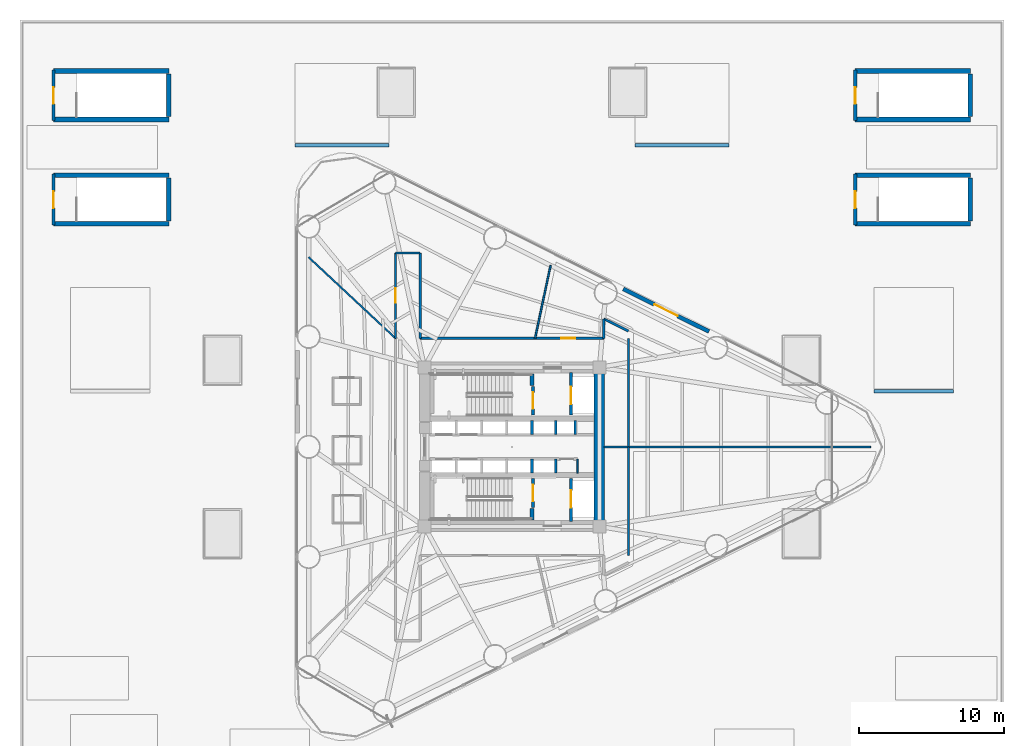
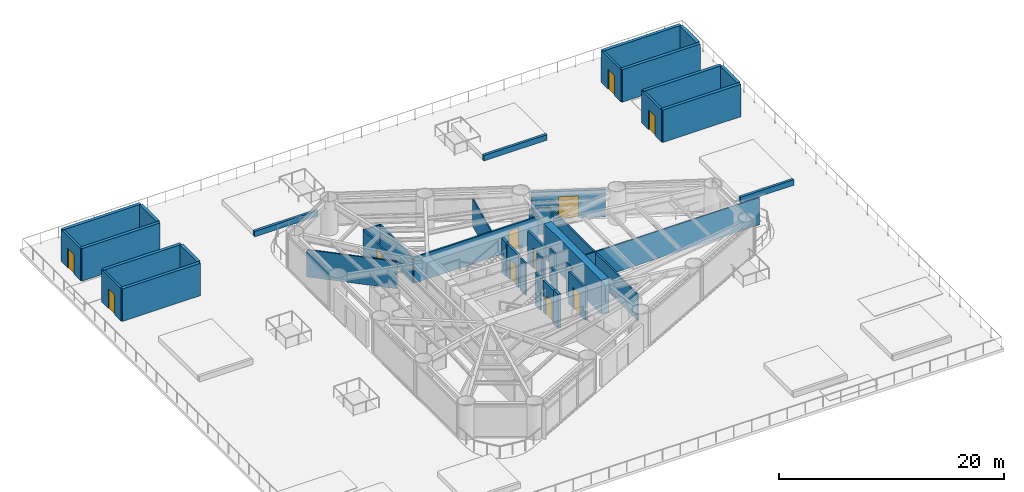
# One storey, part 7 of 13: 44 walls, 11 doors, 11 openings.
"""IFC4 building model written with IfcOpenShell, lengths in metres."""

from ifc_helpers import new_model, si_unit, direction, frame, frame_2d, origin, place, context, subcontext, project, spatial, rectangle, extrude, material, layer, layer_set, type_object, element, fill, save


model = new_model("IFC4")

# Units and contexts
model_context = context("Model", 3, precision=1e-05, world=origin(), true_north=direction((0.0, 1.0)))
body_context = subcontext(model_context, "Body", "Model", "MODEL_VIEW")
ifc_project = project(units=[si_unit("LENGTHUNIT", "METRE"), si_unit("AREAUNIT", "SQUARE_METRE"), si_unit("VOLUMEUNIT", "CUBIC_METRE"), si_unit("PLANEANGLEUNIT", "RADIAN"), si_unit("MASSUNIT", "GRAM", prefix="KILO")], contexts=[model_context])

# Site, building, storey
site_placement = place(None, origin())
site = spatial("IfcSite", under=ifc_project, at=site_placement, CompositionType="ELEMENT")
building_placement = place(site_placement, origin())
building = spatial("IfcBuilding", under=site, at=building_placement, Name="Yunling Apex Tower", CompositionType="ELEMENT")
storey_placement = place(building_placement, frame((0.0, 0.0, 20.10009765625)))
storey = spatial("IfcBuildingStorey", under=building, at=storey_placement, Name="L06", CompositionType="ELEMENT", Elevation=20.10009765625)

# Walls
ifc_material_1 = material(Name="Concrete C60", Category="concrete")
ifc_layer_1 = layer(ifc_material_1, 0.75)
ifc_layer_set_1 = layer_set([ifc_layer_1], Name="Concrete C60")
wall_type_1 = type_object("IfcWallType", Name="WL-COR-1", PredefinedType="SHEAR", material=ifc_layer_set_1)
wall_1_placement = place(storey_placement, frame((6.02490234375, -5.10009765625, 0.0), z_axis=(0.0, 0.0, 1.0), x_axis=(0.0, 1.0, 0.0)))
element("IfcWall", 1, at=wall_1_placement, inside=storey, type_object=wall_type_1, Name="L06 East Core Shear Wall", PredefinedType="SHEAR", context=body_context, shape_type="SweptSolid", body=[
    extrude(rectangle(XDim=10.2001953125, YDim=0.75, at=frame_2d((5.10009765625, 0.0))), origin(), (0.0, 0.0, 1.0), 3.699951171875),
])
ifc_material_2 = material(Name="Concrete C40", Category="concrete")
ifc_layer_2 = layer(ifc_material_2, 0.320068359375)
ifc_layer_set_2 = layer_set([ifc_layer_2], Name="Concrete C40")
wall_type_2 = type_object("IfcWallType", Name="WL-COR-7", PredefinedType="SHEAR", material=ifc_layer_set_2)
for number, where, z_axis, x_axis, name in (
    (2, (-31.699951171875, 18.780029296875, 0.0), (0.0, 0.0, 1.0), (1.0, 0.0, 0.0), "L06 STP1 North Bearing Wall"),
    (3, (-31.699951171875, 15.419921875, 0.0), (0.0, 0.0, 1.0), (1.0, 0.0, 0.0), "L06 STP1 South Bearing Wall"),
):
    element("IfcWall", number, at=place(storey_placement, frame(where, z_axis=z_axis, x_axis=x_axis)), inside=storey, type_object=wall_type_2, Name=name, PredefinedType="SHEAR", context=body_context, shape_type="SweptSolid", body=[
        extrude(rectangle(XDim=8.0, YDim=0.320068359375, at=frame_2d((4.0, 0.0))), origin(), (0.0, 0.0, 1.0), 3.52001953125),
    ])
wall_2_placement = place(storey_placement, frame((-23.719970703125, 15.6201171875, 0.0), z_axis=(0.0, 0.0, 1.0), x_axis=(0.0, 1.0, 0.0)))
element("IfcWall", 4, at=wall_2_placement, inside=storey, type_object=wall_type_2, Name="L06 STP1 Half-Landing Bearing Wall", PredefinedType="SHEAR", context=body_context, shape_type="SweptSolid", body=[
    extrude(rectangle(XDim=2.9599609375, YDim=0.320068359375, at=frame_2d((1.47998046875, 0.0))), origin(), (0.0, 0.0, 1.0), 3.52001953125),
])
for number, where, z_axis, x_axis, name in (
    (5, (23.699951171875, 18.780029296875, 0.0), (0.0, 0.0, 1.0), (1.0, 0.0, 0.0), "L06 STP2 North Bearing Wall"),
    (6, (23.699951171875, 15.419921875, 0.0), (0.0, 0.0, 1.0), (1.0, 0.0, 0.0), "L06 STP2 South Bearing Wall"),
):
    element("IfcWall", number, at=place(storey_placement, frame(where, z_axis=z_axis, x_axis=x_axis)), inside=storey, type_object=wall_type_2, Name=name, PredefinedType="SHEAR", context=body_context, shape_type="SweptSolid", body=[
        extrude(rectangle(XDim=8.0, YDim=0.320068359375, at=frame_2d((4.0, 0.0))), origin(), (0.0, 0.0, 1.0), 3.52001953125),
    ])
wall_3_placement = place(storey_placement, frame((31.679931640625, 15.6201171875, 0.0), z_axis=(0.0, 0.0, 1.0), x_axis=(0.0, 1.0, 0.0)))
element("IfcWall", 7, at=wall_3_placement, inside=storey, type_object=wall_type_2, Name="L06 STP2 Half-Landing Bearing Wall", PredefinedType="SHEAR", context=body_context, shape_type="SweptSolid", body=[
    extrude(rectangle(XDim=2.9599609375, YDim=0.320068359375, at=frame_2d((1.47998046875, 0.0))), origin(), (0.0, 0.0, 1.0), 3.52001953125),
])
for number, where, z_axis, x_axis, name in (
    (8, (-31.699951171875, 25.97998046875, 0.0), (0.0, 0.0, 1.0), (1.0, 0.0, 0.0), "L06 STG1 North Bearing Wall"),
    (9, (-31.699951171875, 22.6201171875, 0.0), (0.0, 0.0, 1.0), (1.0, 0.0, 0.0), "L06 STG1 South Bearing Wall"),
):
    element("IfcWall", number, at=place(storey_placement, frame(where, z_axis=z_axis, x_axis=x_axis)), inside=storey, type_object=wall_type_2, Name=name, PredefinedType="SHEAR", context=body_context, shape_type="SweptSolid", body=[
        extrude(rectangle(XDim=8.0, YDim=0.320068359375, at=frame_2d((4.0, 0.0))), origin(), (0.0, 0.0, 1.0), 3.52001953125),
    ])
wall_4_placement = place(storey_placement, frame((-23.719970703125, 22.820068359375, 0.0), z_axis=(0.0, 0.0, 1.0), x_axis=(0.0, 1.0, 0.0)))
element("IfcWall", 10, at=wall_4_placement, inside=storey, type_object=wall_type_2, Name="L06 STG1 Half-Landing Bearing Wall", PredefinedType="SHEAR", context=body_context, shape_type="SweptSolid", body=[
    extrude(rectangle(XDim=2.9599609375, YDim=0.320068359375, at=frame_2d((1.47998046875, 0.0))), origin(), (0.0, 0.0, 1.0), 3.52001953125),
])
for number, where, z_axis, x_axis, name in (
    (11, (23.699951171875, 25.97998046875, 0.0), (0.0, 0.0, 1.0), (1.0, 0.0, 0.0), "L06 STG2 North Bearing Wall"),
    (12, (23.699951171875, 22.6201171875, 0.0), (0.0, 0.0, 1.0), (1.0, 0.0, 0.0), "L06 STG2 South Bearing Wall"),
):
    element("IfcWall", number, at=place(storey_placement, frame(where, z_axis=z_axis, x_axis=x_axis)), inside=storey, type_object=wall_type_2, Name=name, PredefinedType="SHEAR", context=body_context, shape_type="SweptSolid", body=[
        extrude(rectangle(XDim=8.0, YDim=0.320068359375, at=frame_2d((4.0, 0.0))), origin(), (0.0, 0.0, 1.0), 3.52001953125),
    ])
wall_5_placement = place(storey_placement, frame((31.679931640625, 22.820068359375, 0.0), z_axis=(0.0, 0.0, 1.0), x_axis=(0.0, 1.0, 0.0)))
element("IfcWall", 13, at=wall_5_placement, inside=storey, type_object=wall_type_2, Name="L06 STG2 Half-Landing Bearing Wall", PredefinedType="SHEAR", context=body_context, shape_type="SweptSolid", body=[
    extrude(rectangle(XDim=2.9599609375, YDim=0.320068359375, at=frame_2d((1.47998046875, 0.0))), origin(), (0.0, 0.0, 1.0), 3.52001953125),
])
ifc_layer_3 = layer(ifc_material_2, 0.280029296875)
ifc_layer_set_3 = layer_set([ifc_layer_3], Name="Concrete C40")
wall_type_3 = type_object("IfcWallType", Name="WL-COR-8", PredefinedType="SHEAR", material=ifc_layer_set_3)
for number, where, z_axis, x_axis, name in (
    (14, (1.3798828125, 4.25, 0.0), (0.0, 0.0, 1.0), (0.0, 1.0, 0.0), "L06 ST-1 East Landing Bearing Pier"),
    (15, (1.3798828125, -5.050048828125, 0.0), (0.0, 0.0, 1.0), (0.0, 1.0, 0.0), "L06 ST-2 East Landing Bearing Pier"),
):
    element("IfcWall", number, at=place(storey_placement, frame(where, z_axis=z_axis, x_axis=x_axis)), inside=storey, type_object=wall_type_3, Name=name, PredefinedType="SHEAR", context=body_context, shape_type="SweptSolid", body=[
        extrude(rectangle(XDim=0.800048828125, YDim=0.280029296875, at=frame_2d((0.39990234375, 0.0))), origin(), (0.0, 0.0, 1.0), 3.699951171875),
    ])

# Wall, opening, door
ifc_material_3 = material(Name="Precast concrete C40", Category="concrete")
ifc_layer_4 = layer(ifc_material_3, 0.280029296875)
ifc_layer_set_4 = layer_set([ifc_layer_4], Name="Precast concrete C40")
wall_type_4 = type_object("IfcWallType", Name="WL-EXT-2", PredefinedType="SOLIDWALL", material=ifc_layer_set_4)
wall_6_placement = place(storey_placement, frame((7.684326171875, 10.918701171875, 0.0), z_axis=(0.0, 0.0, 1.0), x_axis=(0.895244546631, -0.445575135895, 0.0)))
wall_6 = element("IfcWall", 16, at=wall_6_placement, inside=storey, type_object=wall_type_4, Name="WL-L06-GDN-F2", PredefinedType="SOLIDWALL", context=body_context, shape_type="SweptSolid", body=[
    extrude(rectangle(XDim=6.618896484375, YDim=0.280029296875, at=frame_2d((3.3095703125, 0.0))), origin(), (0.0, 0.0, 1.0), 2.914794921875),
])
opening_1_placement = place(wall_6_placement, frame((2.409423828125, 0.0, 0.0)))
opening_1 = element("IfcOpeningElement", 17, at=opening_1_placement, cuts=wall_6, Name="Opening DR-GDN-1", PredefinedType="OPENING", context=body_context, shape_type="SweptSolid", body=[
    extrude(rectangle(XDim=1.800048828125, YDim=2.35009765625, at=frame_2d((0.89990234375, 1.175048828125))), frame((0.0, 0.14990234375, 0.0), z_axis=(0.0, -1.0, 0.0), x_axis=(1.0, 0.0, 0.0)), (0.0, 0.0, 1.0), 0.300048828125),
])
ifc_material_4 = material(Name="Bronze anodised aluminium", Category="aluminium")
door_type_1 = type_object("IfcDoorType", Name="DR-GDN-1", OperationType="NOTDEFINED", PredefinedType="DOOR", material=ifc_material_4)
door_1_placement = place(opening_1_placement, origin())
door_1 = element("IfcDoor", 18, at=door_1_placement, inside=storey, type_object=door_type_1, Name="DR-GDN-02 Raised Garden Terrace Access Door", OperationType="DOUBLE_DOOR_SINGLE_SWING", OverallHeight=2.35009765625, OverallWidth=1.800048828125, PredefinedType="DOOR", context=body_context, shape_type="SweptSolid", body=[
    extrude(rectangle(XDim=1.800048828125, YDim=2.35009765625, at=frame_2d((0.89990234375, 1.175048828125))), frame((0.0, 0.02490234375, 0.0), z_axis=(0.0, -1.0, 0.0), x_axis=(1.0, 0.0, 0.0)), (0.0, 0.0, 1.0), 0.050048828125),
])
fill(opening_1, door_1)

# Walls
ifc_layer_5 = layer(ifc_material_3, 0.260009765625)
ifc_layer_set_5 = layer_set([ifc_layer_5], Name="Precast concrete C40")
wall_type_5 = type_object("IfcWallType", Name="WL-PAR-1", PredefinedType="PARAPET", material=ifc_layer_set_5)
wall_7_placement = place(storey_placement, frame((25.0, 3.85009765625, 0.0), z_axis=(0.0, 0.0, 1.0), x_axis=(1.0, 0.0, 0.0)))
element("IfcWall", 19, at=wall_7_placement, inside=storey, type_object=wall_type_5, Name="WL-PAR-PLN-04", PredefinedType="PARAPET", context=body_context, shape_type="SweptSolid", body=[
    extrude(rectangle(XDim=5.5, YDim=0.260009765625, at=frame_2d((2.75, 0.0))), origin(), (0.0, 0.0, 1.0), 0.599853515625),
])
for number, where, z_axis, x_axis, name in (
    (20, (-15.0, 20.85009765625, 0.0), (0.0, 0.0, 1.0), (1.0, 0.0, 0.0), "WL-PAR-PLN-07"),
    (21, (8.5, 20.85009765625, 0.0), (0.0, 0.0, 1.0), (1.0, 0.0, 0.0), "WL-PAR-PLN-08"),
):
    element("IfcWall", number, at=place(storey_placement, frame(where, z_axis=z_axis, x_axis=x_axis)), inside=storey, type_object=wall_type_5, Name=name, PredefinedType="PARAPET", context=body_context, shape_type="SweptSolid", body=[
        extrude(rectangle(XDim=6.5, YDim=0.260009765625, at=frame_2d((3.25, 0.0))), origin(), (0.0, 0.0, 1.0), 0.599853515625),
    ])

# Wall, opening, door
ifc_material_5 = material(Name="Gypsum board acoustic partition")
ifc_layer_6 = layer(ifc_material_5, 0.159912109375)
ifc_layer_set_6 = layer_set([ifc_layer_6], Name="Gypsum board acoustic partition")
wall_type_6 = type_object("IfcWallType", Name="WL-PRT-1", PredefinedType="PARTITIONING", material=ifc_layer_set_6)
wall_8_placement = place(storey_placement, frame((-8.050048828125, 7.5, 0.0), z_axis=(0.0, 0.0, 1.0), x_axis=(0.0, 1.0, 0.0)))
wall_8 = element("IfcWall", 22, at=wall_8_placement, inside=storey, type_object=wall_type_6, Name="WL-CORR-L06-06", PredefinedType="PARTITIONING", context=body_context, shape_type="SweptSolid", body=[
    extrude(rectangle(XDim=5.89990234375, YDim=0.159912109375, at=frame_2d((2.949951171875, 0.0))), origin(), (0.0, 0.0, 1.0), 2.7998046875),
])
opening_2_placement = place(wall_8_placement, frame((2.449951171875, 0.0, 0.0)))
opening_2 = element("IfcOpeningElement", 23, at=opening_2_placement, cuts=wall_8, Name="Opening DR-OFF-1", PredefinedType="OPENING", context=body_context, shape_type="SweptSolid", body=[
    extrude(rectangle(XDim=1.0, YDim=2.25, at=frame_2d((0.5, 1.125))), frame((0.0, 0.08984375, 0.0), z_axis=(0.0, -1.0, 0.0), x_axis=(1.0, 0.0, 0.0)), (0.0, 0.0, 1.0), 0.179931640625),
])
door_type_2 = type_object("IfcDoorType", Name="DR-OFF-1", OperationType="NOTDEFINED", PredefinedType="DOOR", material=ifc_material_4)
door_2_placement = place(opening_2_placement, origin())
door_2 = element("IfcDoor", 24, at=door_2_placement, inside=storey, type_object=door_type_2, Name="L06 Open Plan Office Door", OperationType="SINGLE_SWING_LEFT", OverallHeight=2.25, OverallWidth=1.0, PredefinedType="DOOR", context=body_context, shape_type="SweptSolid", body=[
    extrude(rectangle(XDim=1.0, YDim=2.25, at=frame_2d((0.5, 1.125))), frame((0.0, 0.02490234375, 0.0), z_axis=(0.0, -1.0, 0.0), x_axis=(1.0, 0.0, 0.0)), (0.0, 0.0, 1.0), 0.050048828125),
])
fill(opening_2, door_2)

# Walls
wall_9_placement = place(storey_placement, frame((-8.050048828125, 13.39990234375, 0.0), z_axis=(0.0, 0.0, 1.0), x_axis=(1.0, 0.0, 0.0)))
element("IfcWall", 25, at=wall_9_placement, inside=storey, type_object=wall_type_6, Name="WL-CORR-L06-07", PredefinedType="PARTITIONING", context=body_context, shape_type="SweptSolid", body=[
    extrude(rectangle(XDim=1.699951171875, YDim=0.159912109375, at=frame_2d((0.85009765625, 0.0))), origin(), (0.0, 0.0, 1.0), 2.7998046875),
])
wall_10_placement = place(storey_placement, frame((-6.35009765625, 13.39990234375, 0.0), z_axis=(0.0, 0.0, 1.0), x_axis=(0.0, -1.0, 0.0)))
element("IfcWall", 26, at=wall_10_placement, inside=storey, type_object=wall_type_6, Name="WL-CORR-L06-08", PredefinedType="PARTITIONING", context=body_context, shape_type="SweptSolid", body=[
    extrude(rectangle(XDim=5.89990234375, YDim=0.159912109375, at=frame_2d((2.949951171875, 0.0))), origin(), (0.0, 0.0, 1.0), 2.7998046875),
])

# Wall, opening, door
wall_11_placement = place(storey_placement, frame((-6.35009765625, 7.5, 0.0), z_axis=(0.0, 0.0, 1.0), x_axis=(1.0, 0.0, 0.0)))
wall_11 = element("IfcWall", 27, at=wall_11_placement, inside=storey, type_object=wall_type_6, Name="WL-CORR-L06-09", PredefinedType="PARTITIONING", context=body_context, shape_type="SweptSolid", body=[
    extrude(rectangle(XDim=12.7001953125, YDim=0.159912109375, at=frame_2d((6.35009765625, 0.0))), origin(), (0.0, 0.0, 1.0), 2.7998046875),
])
opening_3_placement = place(wall_11_placement, frame((9.7373046875, 0.0, 0.0)))
opening_3 = element("IfcOpeningElement", 28, at=opening_3_placement, cuts=wall_11, Name="Opening DR-OFF-1", PredefinedType="OPENING", context=body_context, shape_type="SweptSolid", body=[
    extrude(rectangle(XDim=1.0, YDim=2.25, at=frame_2d((0.5, 1.125))), frame((0.0, 0.08984375, 0.0), z_axis=(0.0, -1.0, 0.0), x_axis=(1.0, 0.0, 0.0)), (0.0, 0.0, 1.0), 0.179931640625),
])
door_3_placement = place(opening_3_placement, origin())
door_3 = element("IfcDoor", 29, at=door_3_placement, inside=storey, type_object=door_type_2, Name="L06 Open Plan Office Door", OperationType="SINGLE_SWING_RIGHT", OverallHeight=2.25, OverallWidth=1.0, PredefinedType="DOOR", context=body_context, shape_type="SweptSolid", body=[
    extrude(rectangle(XDim=1.0, YDim=2.25, at=frame_2d((0.5, 1.125))), frame((0.0, 0.02490234375, 0.0), z_axis=(0.0, -1.0, 0.0), x_axis=(1.0, 0.0, 0.0)), (0.0, 0.0, 1.0), 0.050048828125),
])
fill(opening_3, door_3)

# Walls
wall_12_placement = place(storey_placement, frame((6.35009765625, 7.5, 0.0), z_axis=(0.0, 0.0, 1.0), x_axis=(0.0, 1.0, 0.0)))
element("IfcWall", 30, at=wall_12_placement, inside=storey, type_object=wall_type_6, Name="WL-CORR-L06-10", PredefinedType="PARTITIONING", context=body_context, shape_type="SweptSolid", body=[
    extrude(rectangle(XDim=1.34619140625, YDim=0.159912109375, at=frame_2d((0.673095703125, 0.0))), origin(), (0.0, 0.0, 1.0), 2.7998046875),
])
wall_13_placement = place(storey_placement, frame((6.35009765625, 8.84619140625, 0.0), z_axis=(0.0, 0.0, 1.0), x_axis=(0.895274181873, -0.445515588136, 0.0)))
element("IfcWall", 31, at=wall_13_placement, inside=storey, type_object=wall_type_6, Name="WL-CORR-L06-11", PredefinedType="PARTITIONING", context=body_context, shape_type="SweptSolid", body=[
    extrude(rectangle(XDim=1.89892578125, YDim=0.159912109375, at=frame_2d((0.949462890625, 0.0))), origin(), (0.0, 0.0, 1.0), 2.7998046875),
])
for number, where, z_axis, x_axis, name in (
    (32, (8.050048828125, 7.5, 0.0), (0.0, 0.0, 1.0), (0.0, -1.0, 0.0), "WL-CORR-L06-13"),
    (33, (8.050048828125, -0.02001953125, 0.0), (0.0, 0.0, 1.0), (0.0, -1.0, 0.0), "WL-CORR-L06-14"),
):
    element("IfcWall", number, at=place(storey_placement, frame(where, z_axis=z_axis, x_axis=x_axis)), inside=storey, type_object=wall_type_6, Name=name, PredefinedType="PARTITIONING", context=body_context, shape_type="SweptSolid", body=[
        extrude(rectangle(XDim=7.47998046875, YDim=0.159912109375, at=frame_2d((3.739990234375, 0.0))), origin(), (0.0, 0.0, 1.0), 2.7998046875),
    ])
ifc_layer_7 = layer(ifc_material_5, 0.1201171875)
ifc_layer_set_7 = layer_set([ifc_layer_7], Name="Gypsum board acoustic partition")
wall_type_7 = type_object("IfcWallType", Name="WL-PRT-3", PredefinedType="PARTITIONING", material=ifc_layer_set_7)
wall_14_placement = place(storey_placement, frame((6.360107421875, 0.0, 0.0), z_axis=(0.0, 0.0, 1.0), x_axis=(1.0, 0.0, 0.0)))
element("IfcWall", 34, at=wall_14_placement, inside=storey, type_object=wall_type_7, Name="WL-RAD-L06-01", PredefinedType="PARTITIONING", context=body_context, shape_type="SweptSolid", body=[
    extrude(rectangle(XDim=18.420654296875, YDim=0.1201171875, at=frame_2d((9.21044921875, 0.0))), origin(), (0.0, 0.0, 1.0), 2.9599609375),
])
wall_15_placement = place(storey_placement, frame((1.585693359375, 7.4599609375, 0.0), z_axis=(0.0, 0.0, 1.0), x_axis=(0.207905936394, 0.978148823857, 0.0)))
element("IfcWall", 35, at=wall_15_placement, inside=storey, type_object=wall_type_7, Name="WL-RAD-L06-02", PredefinedType="PARTITIONING", context=body_context, shape_type="SweptSolid", body=[
    extrude(rectangle(XDim=5.198486328125, YDim=0.1201171875, at=frame_2d((2.59912109375, 0.0))), origin(), (0.0, 0.0, 1.0), 2.9599609375),
])
wall_16_placement = place(storey_placement, frame((-8.010009765625, 7.469482421875, 0.0), z_axis=(0.0, 0.0, 1.0), x_axis=(-0.731351982223, 0.682000203885, 0.0)))
element("IfcWall", 36, at=wall_16_placement, inside=storey, type_object=wall_type_7, Name="WL-RAD-L06-03", PredefinedType="PARTITIONING", context=body_context, shape_type="SweptSolid", body=[
    extrude(rectangle(XDim=8.261474609375, YDim=0.1201171875, at=frame_2d((4.130859375, 0.0))), origin(), (0.0, 0.0, 1.0), 2.9599609375),
])
ifc_layer_8 = layer(ifc_material_5, 0.10009765625)
ifc_layer_set_8 = layer_set([ifc_layer_8], Name="Gypsum board acoustic partition")
wall_type_8 = type_object("IfcWallType", Name="WL-PRT-4", PredefinedType="PARTITIONING", material=ifc_layer_set_8)
wall_17_placement = place(storey_placement, frame((4.5400390625, -1.820068359375, 0.0), z_axis=(0.0, 0.0, 1.0), x_axis=(0.0, 1.0, 0.0)))
element("IfcWall", 37, at=wall_17_placement, inside=storey, type_object=wall_type_8, Name="WL-KASE-E-L06", PredefinedType="PARTITIONING", context=body_context, shape_type="SweptSolid", body=[
    extrude(rectangle(XDim=0.97998046875, YDim=0.10009765625, at=frame_2d((0.489990234375, 0.0))), origin(), (0.0, 0.0, 1.0), 3.494873046875),
])

# Wall, opening, door
ifc_material_6 = material(Name="Autoclaved aerated concrete masonry", Category="masonry")
ifc_layer_9 = layer(ifc_material_6, 0.219970703125)
ifc_layer_set_9 = layer_set([ifc_layer_9], Name="Autoclaved aerated concrete masonry")
wall_type_9 = type_object("IfcWallType", Name="WL-SHF-1", PredefinedType="PLUMBINGWALL", material=ifc_layer_set_9)
wall_18_placement = place(storey_placement, frame((1.449951171875, 2.199951171875, 0.0), z_axis=(0.0, 0.0, 1.0), x_axis=(0.0, 1.0, 0.0)))
wall_18 = element("IfcWall", 38, at=wall_18_placement, inside=storey, type_object=wall_type_9, Name="WL-ST1-E-L06", PredefinedType="PLUMBINGWALL", context=body_context, shape_type="SweptSolid", body=[
    extrude(rectangle(XDim=1.97998046875, YDim=0.219970703125, at=frame_2d((0.989990234375, 0.0))), origin(), (0.0, 0.0, 1.0), 3.494873046875),
])
opening_4_placement = place(wall_18_placement, frame((0.419921875, 0.0, 0.0)))
opening_4 = element("IfcOpeningElement", 39, at=opening_4_placement, cuts=wall_18, Name="Opening DR-ST-1", PredefinedType="OPENING", context=body_context, shape_type="SweptSolid", body=[
    extrude(rectangle(XDim=1.14990234375, YDim=2.14990234375, at=frame_2d((0.574951171875, 1.074951171875))), frame((0.0, 0.1201171875, 0.0), z_axis=(0.0, -1.0, 0.0), x_axis=(1.0, 0.0, 0.0)), (0.0, 0.0, 1.0), 0.239990234375),
])
ifc_material_7 = material(Name="Steel Q355B", Category="steel")
door_type_3 = type_object("IfcDoorType", Name="DR-ST-1", OperationType="NOTDEFINED", PredefinedType="DOOR", material=ifc_material_7)
door_4_placement = place(opening_4_placement, origin())
door_4 = element("IfcDoor", 40, at=door_4_placement, inside=storey, type_object=door_type_3, Name="L06 Stair ST-1 Fire Door", OperationType="SINGLE_SWING_RIGHT", OverallHeight=2.14990234375, OverallWidth=1.14990234375, PredefinedType="DOOR", context=body_context, shape_type="SweptSolid", body=[
    extrude(rectangle(XDim=1.14990234375, YDim=2.14990234375, at=frame_2d((0.574951171875, 1.074951171875))), frame((0.0, 0.02490234375, 0.0), z_axis=(0.0, -1.0, 0.0), x_axis=(1.0, 0.0, 0.0)), (0.0, 0.0, 1.0), 0.050048828125),
])
fill(opening_4, door_4)

wall_19_placement = place(storey_placement, frame((4.080078125, 2.199951171875, 0.0), z_axis=(0.0, 0.0, 1.0), x_axis=(0.0, 1.0, 0.0)))
wall_19 = element("IfcWall", 41, at=wall_19_placement, inside=storey, type_object=wall_type_9, Name="WL-FFL1-W-L06", PredefinedType="PLUMBINGWALL", context=body_context, shape_type="SweptSolid", body=[
    extrude(rectangle(XDim=2.949951171875, YDim=0.219970703125, at=frame_2d((1.47509765625, 0.0))), origin(), (0.0, 0.0, 1.0), 3.494873046875),
])
opening_5_placement = place(wall_19_placement, frame((0.75, 0.0, 0.0)))
opening_5 = element("IfcOpeningElement", 42, at=opening_5_placement, cuts=wall_19, Name="Opening LD-FFL-1", PredefinedType="OPENING", context=body_context, shape_type="SweptSolid", body=[
    extrude(rectangle(XDim=1.199951171875, YDim=2.25, at=frame_2d((0.60009765625, 1.125))), frame((0.0, 0.1201171875, 0.0), z_axis=(0.0, -1.0, 0.0), x_axis=(1.0, 0.0, 0.0)), (0.0, 0.0, 1.0), 0.239990234375),
])
door_type_4 = type_object("IfcDoorType", Name="LD-FFL-1", OperationType="DOUBLE_DOOR_SLIDING", PredefinedType="DOOR", material=ifc_material_7)
door_5_placement = place(opening_5_placement, origin())
door_5 = element("IfcDoor", 43, at=door_5_placement, inside=storey, type_object=door_type_4, Name="L06 Lift FFL-1 Landing Door", OperationType="DOUBLE_DOOR_SLIDING", OverallHeight=2.25, OverallWidth=1.199951171875, PredefinedType="DOOR", context=body_context, shape_type="SweptSolid", body=[
    extrude(rectangle(XDim=1.199951171875, YDim=2.25, at=frame_2d((0.60009765625, 1.125))), frame((0.0, 0.02490234375, 0.0), z_axis=(0.0, -1.0, 0.0), x_axis=(1.0, 0.0, 0.0)), (0.0, 0.0, 1.0), 0.050048828125),
])
fill(opening_5, door_5)

wall_20_placement = place(storey_placement, frame((1.449951171875, -4.179931640625, 0.0), z_axis=(0.0, 0.0, 1.0), x_axis=(0.0, 1.0, 0.0)))
wall_20 = element("IfcWall", 44, at=wall_20_placement, inside=storey, type_object=wall_type_9, Name="WL-ST2-E-L06", PredefinedType="PLUMBINGWALL", context=body_context, shape_type="SweptSolid", body=[
    extrude(rectangle(XDim=1.97998046875, YDim=0.219970703125, at=frame_2d((0.989990234375, 0.0))), origin(), (0.0, 0.0, 1.0), 3.494873046875),
])
opening_6_placement = place(wall_20_placement, frame((0.419921875, 0.0, 0.0)))
opening_6 = element("IfcOpeningElement", 45, at=opening_6_placement, cuts=wall_20, Name="Opening DR-ST-1", PredefinedType="OPENING", context=body_context, shape_type="SweptSolid", body=[
    extrude(rectangle(XDim=1.14990234375, YDim=2.14990234375, at=frame_2d((0.574951171875, 1.074951171875))), frame((0.0, 0.1201171875, 0.0), z_axis=(0.0, -1.0, 0.0), x_axis=(1.0, 0.0, 0.0)), (0.0, 0.0, 1.0), 0.239990234375),
])
door_6_placement = place(opening_6_placement, origin())
door_6 = element("IfcDoor", 46, at=door_6_placement, inside=storey, type_object=door_type_3, Name="L06 Stair ST-2 Fire Door", OperationType="SINGLE_SWING_LEFT", OverallHeight=2.14990234375, OverallWidth=1.14990234375, PredefinedType="DOOR", context=body_context, shape_type="SweptSolid", body=[
    extrude(rectangle(XDim=1.14990234375, YDim=2.14990234375, at=frame_2d((0.574951171875, 1.074951171875))), frame((0.0, 0.02490234375, 0.0), z_axis=(0.0, -1.0, 0.0), x_axis=(1.0, 0.0, 0.0)), (0.0, 0.0, 1.0), 0.050048828125),
])
fill(opening_6, door_6)

wall_21_placement = place(storey_placement, frame((4.080078125, -5.14990234375, 0.0), z_axis=(0.0, 0.0, 1.0), x_axis=(0.0, 1.0, 0.0)))
wall_21 = element("IfcWall", 47, at=wall_21_placement, inside=storey, type_object=wall_type_9, Name="WL-FFL2-W-L06", PredefinedType="PLUMBINGWALL", context=body_context, shape_type="SweptSolid", body=[
    extrude(rectangle(XDim=2.949951171875, YDim=0.219970703125, at=frame_2d((1.47509765625, 0.0))), origin(), (0.0, 0.0, 1.0), 3.494873046875),
])
opening_7_placement = place(wall_21_placement, frame((0.949951171875, 0.0, 0.0)))
opening_7 = element("IfcOpeningElement", 48, at=opening_7_placement, cuts=wall_21, Name="Opening LD-FFL-1", PredefinedType="OPENING", context=body_context, shape_type="SweptSolid", body=[
    extrude(rectangle(XDim=1.199951171875, YDim=2.25, at=frame_2d((0.60009765625, 1.125))), frame((0.0, 0.1201171875, 0.0), z_axis=(0.0, -1.0, 0.0), x_axis=(1.0, 0.0, 0.0)), (0.0, 0.0, 1.0), 0.239990234375),
])
door_7_placement = place(opening_7_placement, origin())
door_7 = element("IfcDoor", 49, at=door_7_placement, inside=storey, type_object=door_type_4, Name="L06 Lift FFL-2 Landing Door", OperationType="DOUBLE_DOOR_SLIDING", OverallHeight=2.25, OverallWidth=1.199951171875, PredefinedType="DOOR", context=body_context, shape_type="SweptSolid", body=[
    extrude(rectangle(XDim=1.199951171875, YDim=2.25, at=frame_2d((0.60009765625, 1.125))), frame((0.0, 0.02490234375, 0.0), z_axis=(0.0, -1.0, 0.0), x_axis=(1.0, 0.0, 0.0)), (0.0, 0.0, 1.0), 0.050048828125),
])
fill(opening_7, door_7)

wall_22_placement = place(storey_placement, frame((-31.679931640625, 15.35009765625, 0.0), z_axis=(0.0, 0.0, 1.0), x_axis=(0.0, 1.0, 0.0)))
wall_22 = element("IfcWall", 50, at=wall_22_placement, inside=storey, type_object=wall_type_9, Name="WL-STP1-W-L06", PredefinedType="PLUMBINGWALL", context=body_context, shape_type="SweptSolid", body=[
    extrude(rectangle(XDim=3.5, YDim=0.219970703125, at=frame_2d((1.75, 0.0))), origin(), (0.0, 0.0, 1.0), 3.494873046875),
])
opening_8_placement = place(wall_22_placement, frame((1.14990234375, 0.0, 0.0)))
opening_8 = element("IfcOpeningElement", 51, at=opening_8_placement, cuts=wall_22, Name="Opening DR-ST-1", PredefinedType="OPENING", context=body_context, shape_type="SweptSolid", body=[
    extrude(rectangle(XDim=1.14990234375, YDim=2.14990234375, at=frame_2d((0.574951171875, 1.074951171875))), frame((0.0, 0.1201171875, 0.0), z_axis=(0.0, -1.0, 0.0), x_axis=(1.0, 0.0, 0.0)), (0.0, 0.0, 1.0), 0.239990234375),
])
door_8_placement = place(opening_8_placement, origin())
door_8 = element("IfcDoor", 52, at=door_8_placement, inside=storey, type_object=door_type_3, Name="L06 Stair STP1 Terrace Exit Door", OperationType="SINGLE_SWING_LEFT", OverallHeight=2.14990234375, OverallWidth=1.14990234375, PredefinedType="DOOR", context=body_context, shape_type="SweptSolid", body=[
    extrude(rectangle(XDim=1.14990234375, YDim=2.14990234375, at=frame_2d((0.574951171875, 1.074951171875))), frame((0.0, 0.02490234375, 0.0), z_axis=(0.0, -1.0, 0.0), x_axis=(1.0, 0.0, 0.0)), (0.0, 0.0, 1.0), 0.050048828125),
])
fill(opening_8, door_8)

wall_23_placement = place(storey_placement, frame((23.719970703125, 15.35009765625, 0.0), z_axis=(0.0, 0.0, 1.0), x_axis=(0.0, 1.0, 0.0)))
wall_23 = element("IfcWall", 53, at=wall_23_placement, inside=storey, type_object=wall_type_9, Name="WL-STP2-W-L06", PredefinedType="PLUMBINGWALL", context=body_context, shape_type="SweptSolid", body=[
    extrude(rectangle(XDim=3.5, YDim=0.219970703125, at=frame_2d((1.75, 0.0))), origin(), (0.0, 0.0, 1.0), 3.494873046875),
])
opening_9_placement = place(wall_23_placement, frame((1.14990234375, 0.0, 0.0)))
opening_9 = element("IfcOpeningElement", 54, at=opening_9_placement, cuts=wall_23, Name="Opening DR-ST-1", PredefinedType="OPENING", context=body_context, shape_type="SweptSolid", body=[
    extrude(rectangle(XDim=1.14990234375, YDim=2.14990234375, at=frame_2d((0.574951171875, 1.074951171875))), frame((0.0, 0.1201171875, 0.0), z_axis=(0.0, -1.0, 0.0), x_axis=(1.0, 0.0, 0.0)), (0.0, 0.0, 1.0), 0.239990234375),
])
door_9_placement = place(opening_9_placement, origin())
door_9 = element("IfcDoor", 55, at=door_9_placement, inside=storey, type_object=door_type_3, Name="L06 Stair STP2 Terrace Exit Door", OperationType="SINGLE_SWING_RIGHT", OverallHeight=2.14990234375, OverallWidth=1.14990234375, PredefinedType="DOOR", context=body_context, shape_type="SweptSolid", body=[
    extrude(rectangle(XDim=1.14990234375, YDim=2.14990234375, at=frame_2d((0.574951171875, 1.074951171875))), frame((0.0, 0.02490234375, 0.0), z_axis=(0.0, -1.0, 0.0), x_axis=(1.0, 0.0, 0.0)), (0.0, 0.0, 1.0), 0.050048828125),
])
fill(opening_9, door_9)

wall_24_placement = place(storey_placement, frame((-31.679931640625, 22.550048828125, 0.0), z_axis=(0.0, 0.0, 1.0), x_axis=(0.0, 1.0, 0.0)))
wall_24 = element("IfcWall", 56, at=wall_24_placement, inside=storey, type_object=wall_type_9, Name="WL-STG1-W-L06", PredefinedType="PLUMBINGWALL", context=body_context, shape_type="SweptSolid", body=[
    extrude(rectangle(XDim=3.5, YDim=0.219970703125, at=frame_2d((1.75, 0.0))), origin(), (0.0, 0.0, 1.0), 3.494873046875),
])
opening_10_placement = place(wall_24_placement, frame((1.14990234375, 0.0, 0.0)))
opening_10 = element("IfcOpeningElement", 57, at=opening_10_placement, cuts=wall_24, Name="Opening DR-ST-1", PredefinedType="OPENING", context=body_context, shape_type="SweptSolid", body=[
    extrude(rectangle(XDim=1.14990234375, YDim=2.14990234375, at=frame_2d((0.574951171875, 1.074951171875))), frame((0.0, 0.1201171875, 0.0), z_axis=(0.0, -1.0, 0.0), x_axis=(1.0, 0.0, 0.0)), (0.0, 0.0, 1.0), 0.239990234375),
])
door_10_placement = place(opening_10_placement, origin())
door_10 = element("IfcDoor", 58, at=door_10_placement, inside=storey, type_object=door_type_3, Name="L06 Stair STG1 Terrace Exit Door", OperationType="SINGLE_SWING_LEFT", OverallHeight=2.14990234375, OverallWidth=1.14990234375, PredefinedType="DOOR", context=body_context, shape_type="SweptSolid", body=[
    extrude(rectangle(XDim=1.14990234375, YDim=2.14990234375, at=frame_2d((0.574951171875, 1.074951171875))), frame((0.0, 0.02490234375, 0.0), z_axis=(0.0, -1.0, 0.0), x_axis=(1.0, 0.0, 0.0)), (0.0, 0.0, 1.0), 0.050048828125),
])
fill(opening_10, door_10)

wall_25_placement = place(storey_placement, frame((23.719970703125, 22.550048828125, 0.0), z_axis=(0.0, 0.0, 1.0), x_axis=(0.0, 1.0, 0.0)))
wall_25 = element("IfcWall", 59, at=wall_25_placement, inside=storey, type_object=wall_type_9, Name="WL-STG2-W-L06", PredefinedType="PLUMBINGWALL", context=body_context, shape_type="SweptSolid", body=[
    extrude(rectangle(XDim=3.5, YDim=0.219970703125, at=frame_2d((1.75, 0.0))), origin(), (0.0, 0.0, 1.0), 3.494873046875),
])
opening_11_placement = place(wall_25_placement, frame((1.14990234375, 0.0, 0.0)))
opening_11 = element("IfcOpeningElement", 60, at=opening_11_placement, cuts=wall_25, Name="Opening DR-ST-1", PredefinedType="OPENING", context=body_context, shape_type="SweptSolid", body=[
    extrude(rectangle(XDim=1.14990234375, YDim=2.14990234375, at=frame_2d((0.574951171875, 1.074951171875))), frame((0.0, 0.1201171875, 0.0), z_axis=(0.0, -1.0, 0.0), x_axis=(1.0, 0.0, 0.0)), (0.0, 0.0, 1.0), 0.239990234375),
])
door_11_placement = place(opening_11_placement, origin())
door_11 = element("IfcDoor", 61, at=door_11_placement, inside=storey, type_object=door_type_3, Name="L06 Stair STG2 Terrace Exit Door", OperationType="SINGLE_SWING_RIGHT", OverallHeight=2.14990234375, OverallWidth=1.14990234375, PredefinedType="DOOR", context=body_context, shape_type="SweptSolid", body=[
    extrude(rectangle(XDim=1.14990234375, YDim=2.14990234375, at=frame_2d((0.574951171875, 1.074951171875))), frame((0.0, 0.02490234375, 0.0), z_axis=(0.0, -1.0, 0.0), x_axis=(1.0, 0.0, 0.0)), (0.0, 0.0, 1.0), 0.050048828125),
])
fill(opening_11, door_11)

# Walls
ifc_layer_10 = layer(ifc_material_6, 0.179931640625)
ifc_layer_set_10 = layer_set([ifc_layer_10], Name="Autoclaved aerated concrete masonry")
wall_type_10 = type_object("IfcWallType", Name="WL-SHF-2", PredefinedType="PLUMBINGWALL", material=ifc_layer_set_10)
for number, where, z_axis, x_axis, name in (
    (62, (1.3798828125, 0.840087890625, 0.0), (0.0, 0.0, 1.0), (0.0, 1.0, 0.0), "WL-BNK-MH-N-L06"),
    (63, (1.3798828125, -1.820068359375, 0.0), (0.0, 0.0, 1.0), (0.0, 1.0, 0.0), "WL-BNK-MH-S-L06"),
    (64, (3.02001953125, 0.840087890625, 0.0), (0.0, 0.0, 1.0), (0.0, 1.0, 0.0), "WL-DIV-H13-L06"),
    (65, (4.3798828125, 0.840087890625, 0.0), (0.0, 0.0, 1.0), (0.0, 1.0, 0.0), "WL-END-H3E-L06"),
    (66, (3.02001953125, -1.820068359375, 0.0), (0.0, 0.0, 1.0), (0.0, 1.0, 0.0), "WL-END-H2E-L06"),
):
    element("IfcWall", number, at=place(storey_placement, frame(where, z_axis=z_axis, x_axis=x_axis)), inside=storey, type_object=wall_type_10, Name=name, PredefinedType="PLUMBINGWALL", context=body_context, shape_type="SweptSolid", body=[
        extrude(rectangle(XDim=0.97998046875, YDim=0.179931640625, at=frame_2d((0.489990234375, 0.0))), origin(), (0.0, 0.0, 1.0), 3.494873046875),
    ])

save(model, "model.ifc")
